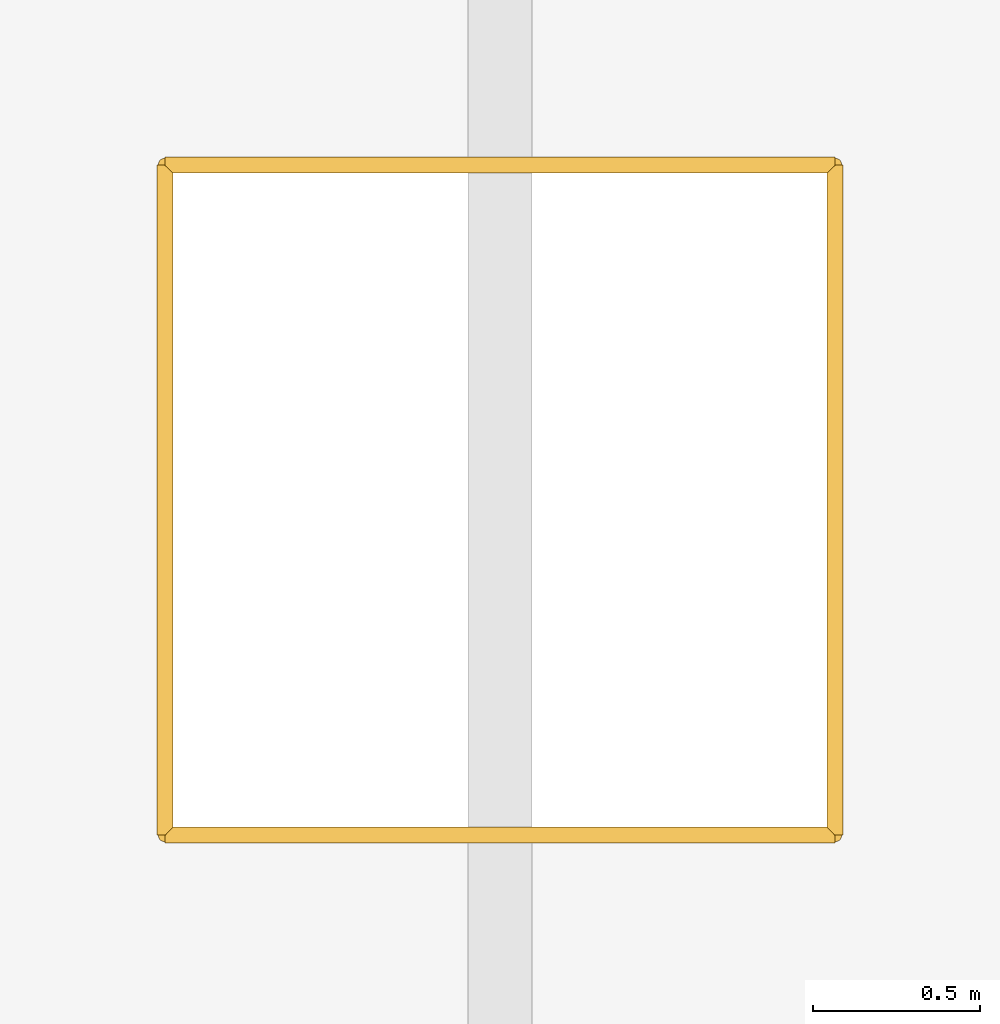
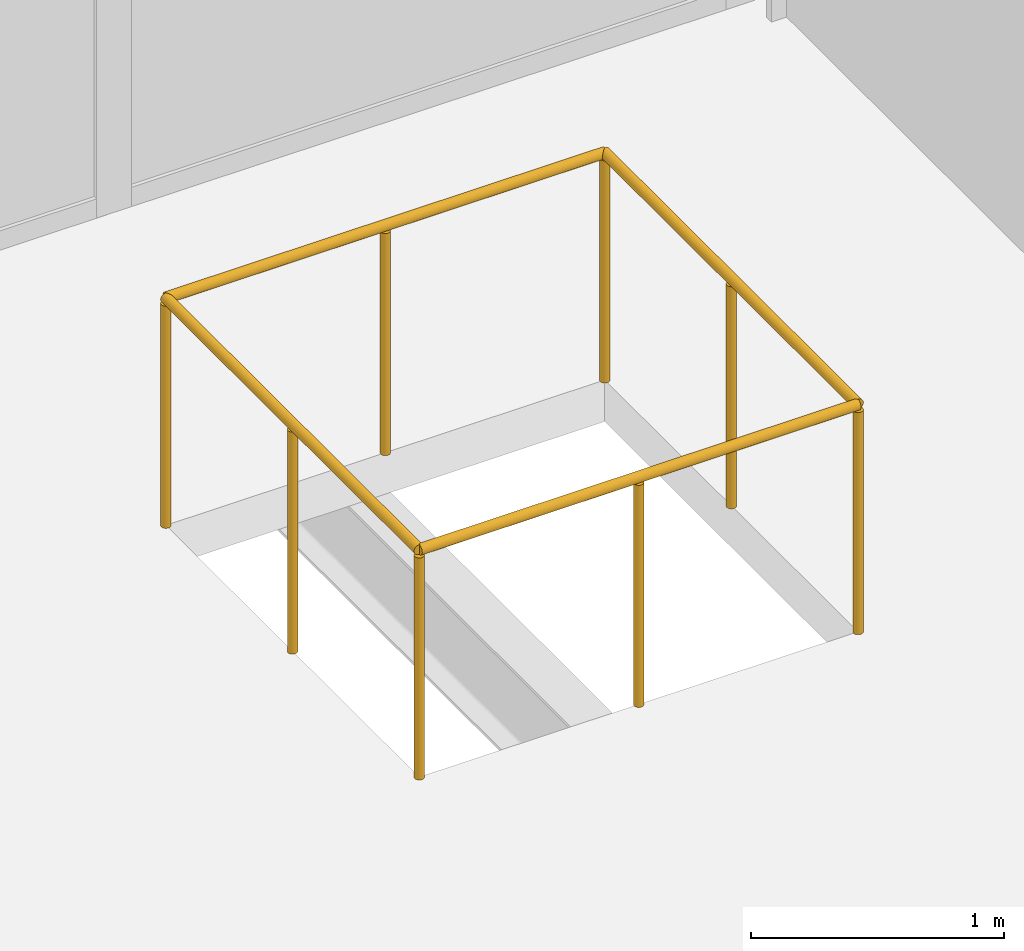
# One storey, part 69 of 69: 4 railings.
"""IFC4 building model written with IfcOpenShell, lengths in metres."""

from ifc_helpers import new_model, si_unit, direction, frame, origin, origin_2d, place, context, subcontext, project, spatial, circle, extrude, material, type_object, element, save


model = new_model("IFC4")

# Units and contexts
model_context = context("Model", 3, precision=1e-05, world=origin(), true_north=direction((0.0, 1.0)))
body_context = subcontext(model_context, "Body", "Model", "MODEL_VIEW")
ifc_project = project(units=[si_unit("LENGTHUNIT", "METRE"), si_unit("AREAUNIT", "SQUARE_METRE"), si_unit("VOLUMEUNIT", "CUBIC_METRE"), si_unit("PLANEANGLEUNIT", "RADIAN"), si_unit("MASSUNIT", "GRAM", prefix="KILO")], contexts=[model_context])

# Site, building, storey
site_placement = place(None, origin())
site = spatial("IfcSite", under=ifc_project, at=site_placement, CompositionType="ELEMENT")
building_placement = place(site_placement, origin())
building = spatial("IfcBuilding", under=site, at=building_placement, Name="Qamarlyn Nura Convention Centre", CompositionType="ELEMENT")
storey_placement = place(building_placement, frame((0.0, 0.0, 15.60009765625)))
storey = spatial("IfcBuildingStorey", under=building, at=storey_placement, Name="L03", CompositionType="ELEMENT", Elevation=15.60009765625)

# Railings
ifc_material = material(Name="Marine Grade 316 stainless steel", Category="steel")
railing_type = type_object("IfcRailingType", Name="GRD-VOID-112", PredefinedType="BALUSTRADE", material=ifc_material)
railing_1_placement = place(storey_placement, frame((190.0, 115.0, 0.0)))
element("IfcRailing", 1, at=railing_1_placement, inside=storey, type_object=railing_type, Name="L03 slab edge balustrade guard 079", PredefinedType="BALUSTRADE", context=body_context, shape_type="SweptSolid", body=[
    extrude(circle(Radius=0.02392578125, at=origin_2d()), frame((0.0, 0.0, 1.09619140625), z_axis=(-1.0, 0.0, 0.0), x_axis=(0.0, -1.0, 0.0)), (0.0, 0.0, 1.0), 2.0),
    extrude(circle(Radius=0.02099609375, at=origin_2d()), origin(), (0.0, 0.0, 1.0), 1.070068359375),
    extrude(circle(Radius=0.02099609375, at=origin_2d()), frame((-1.0, 0.0, 0.0)), (0.0, 0.0, 1.0), 1.070068359375),
    extrude(circle(Radius=0.02099609375, at=origin_2d()), frame((-2.0, 0.0, 0.0)), (0.0, 0.0, 1.0), 1.070068359375),
])
railing_2_placement = place(storey_placement, frame((188.0, 115.0, 0.0)))
element("IfcRailing", 2, at=railing_2_placement, inside=storey, type_object=railing_type, Name="L03 slab edge balustrade guard 080", PredefinedType="BALUSTRADE", context=body_context, shape_type="SweptSolid", body=[
    extrude(circle(Radius=0.02392578125, at=origin_2d()), frame((0.0, 0.0, 1.09619140625), z_axis=(0.0, -1.0, 0.0), x_axis=(1.0, 0.0, 0.0)), (0.0, 0.0, 1.0), 2.0),
    extrude(circle(Radius=0.02099609375, at=origin_2d()), origin(), (0.0, 0.0, 1.0), 1.070068359375),
    extrude(circle(Radius=0.02099609375, at=origin_2d()), frame((0.0, -1.0, 0.0)), (0.0, 0.0, 1.0), 1.070068359375),
    extrude(circle(Radius=0.02099609375, at=origin_2d()), frame((0.0, -2.0, 0.0)), (0.0, 0.0, 1.0), 1.070068359375),
])
railing_3_placement = place(storey_placement, frame((188.0, 113.0, 0.0)))
element("IfcRailing", 3, at=railing_3_placement, inside=storey, type_object=railing_type, Name="L03 slab edge balustrade guard 081", PredefinedType="BALUSTRADE", context=body_context, shape_type="SweptSolid", body=[
    extrude(circle(Radius=0.02392578125, at=origin_2d()), frame((0.0, 0.0, 1.09619140625), z_axis=(1.0, 0.0, 0.0), x_axis=(0.0, 1.0, 0.0)), (0.0, 0.0, 1.0), 2.0),
    extrude(circle(Radius=0.02099609375, at=origin_2d()), origin(), (0.0, 0.0, 1.0), 1.070068359375),
    extrude(circle(Radius=0.02099609375, at=origin_2d()), frame((1.0, 0.0, 0.0)), (0.0, 0.0, 1.0), 1.070068359375),
    extrude(circle(Radius=0.02099609375, at=origin_2d()), frame((2.0, 0.0, 0.0)), (0.0, 0.0, 1.0), 1.070068359375),
])
railing_4_placement = place(storey_placement, frame((190.0, 113.0, 0.0)))
element("IfcRailing", 4, at=railing_4_placement, inside=storey, type_object=railing_type, Name="L03 slab edge balustrade guard 082", PredefinedType="BALUSTRADE", context=body_context, shape_type="SweptSolid", body=[
    extrude(circle(Radius=0.02392578125, at=origin_2d()), frame((0.0, 0.0, 1.09619140625), z_axis=(0.0, 1.0, 0.0), x_axis=(-1.0, 0.0, 0.0)), (0.0, 0.0, 1.0), 2.0),
    extrude(circle(Radius=0.02099609375, at=origin_2d()), origin(), (0.0, 0.0, 1.0), 1.070068359375),
    extrude(circle(Radius=0.02099609375, at=origin_2d()), frame((0.0, 1.0, 0.0)), (0.0, 0.0, 1.0), 1.070068359375),
    extrude(circle(Radius=0.02099609375, at=origin_2d()), frame((0.0, 2.0, 0.0)), (0.0, 0.0, 1.0), 1.070068359375),
])

save(model, "model.ifc")
